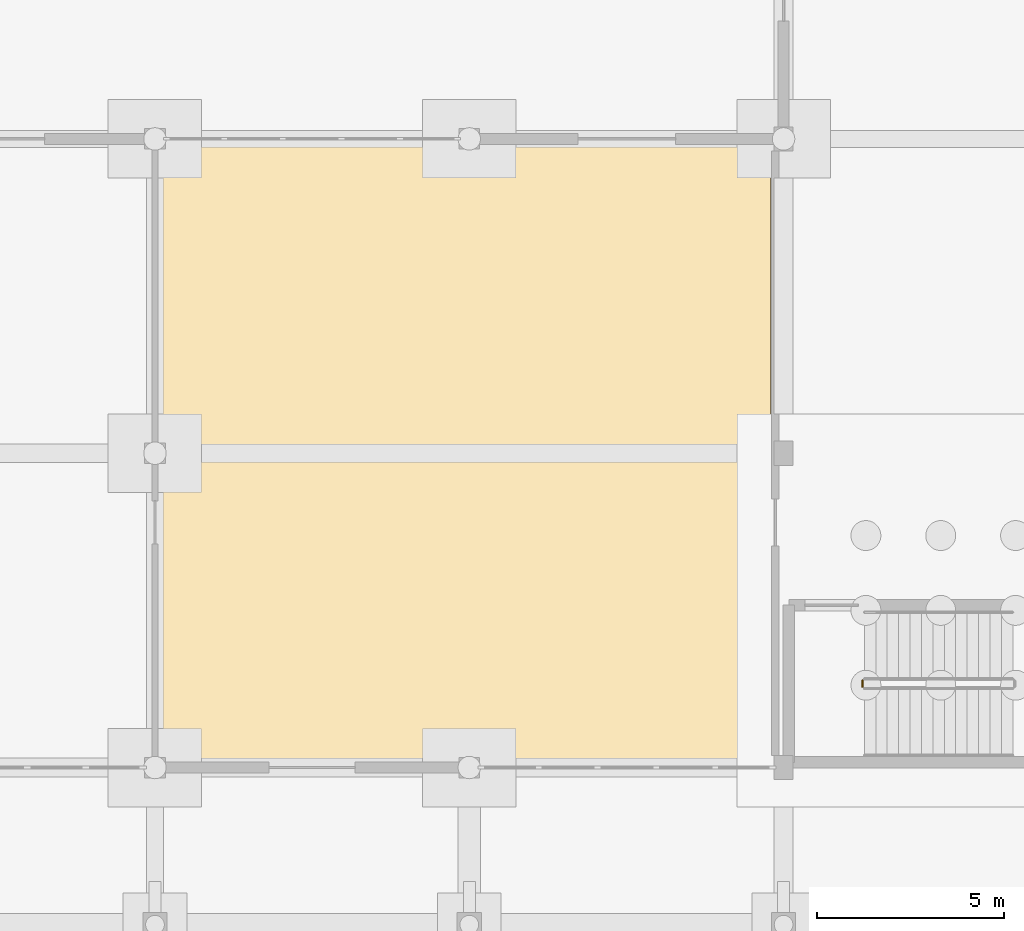
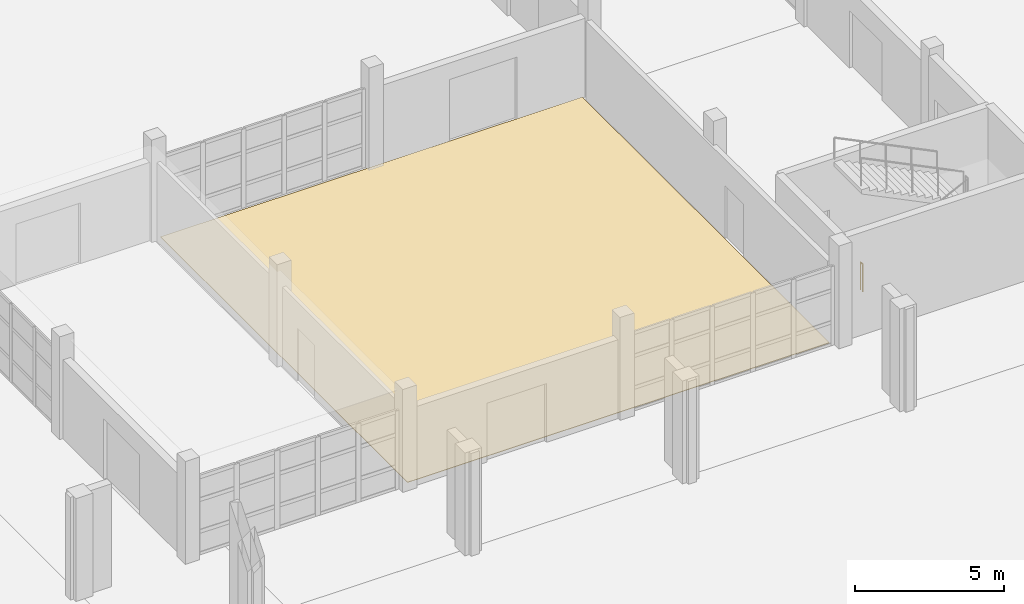
# One storey, part 69 of 88: 1 covering, 1 railing.
"""IFC4 building model written with IfcOpenShell, lengths in metres."""

from ifc_helpers import new_model, si_unit, direction, frame, origin, origin_2d, place, context, subcontext, project, spatial, polyline, circle, outline, extrude, material, layer, layer_set, type_object, element, save


model = new_model("IFC4")

# Units and contexts
model_context = context("Model", 3, precision=1e-05, world=origin(), true_north=direction((0.0, 1.0)))
body_context = subcontext(model_context, "Body", "Model", "MODEL_VIEW")
ifc_project = project(units=[si_unit("LENGTHUNIT", "METRE"), si_unit("AREAUNIT", "SQUARE_METRE"), si_unit("VOLUMEUNIT", "CUBIC_METRE"), si_unit("PLANEANGLEUNIT", "RADIAN"), si_unit("MASSUNIT", "GRAM", prefix="KILO")], contexts=[model_context])

# Site, building, storey
site_placement = place(None, origin())
site = spatial("IfcSite", under=ifc_project, at=site_placement, CompositionType="ELEMENT")
building_placement = place(site_placement, origin())
building = spatial("IfcBuilding", under=site, at=building_placement, Name="Vanh Quang Courtyard School", CompositionType="ELEMENT")
storey_placement = place(building_placement, origin())
storey = spatial("IfcBuildingStorey", under=building, at=storey_placement, Name="L00", CompositionType="ELEMENT", Elevation=0.0)

# Covering
ifc_material_1 = material(Name="Polished cementitious terrazzo tile", Category="concrete")
ifc_layer = layer(ifc_material_1, 0.02001953125)
ifc_layer_set = layer_set([ifc_layer], Name="Polished cementitious terrazzo tile")
covering_type = type_object("IfcCoveringType", Name="COV-FLR-TERRAZZO", PredefinedType="FLOORING", material=ifc_layer_set)
covering_placement = place(storey_placement, origin())
element("IfcCovering", 1, at=covering_placement, inside=storey, type_object=covering_type, Name="Covering CV-FL1 (L00)", PredefinedType="FLOORING", context=body_context, shape_type="SweptSolid", body=[
    extrude(outline(polyline([(12.760009765625, 4.330078125), (12.759033203125, 4.330078125), (12.758056640625, 4.330078125), (12.757080078125, 4.330322265625), (12.756103515625, 4.330810546875), (12.75537109375, 4.331298828125), (12.75439453125, 4.331787109375), (12.753662109375, 4.332275390625), (12.7529296875, 4.3330078125), (12.752197265625, 4.333740234375), (12.751708984375, 4.33447265625), (12.751220703125, 4.335205078125), (12.750732421875, 4.336181640625), (12.75048828125, 4.337158203125), (12.750244140625, 4.337890625), (12.75, 4.339111328125), (12.75, 4.340087890625), (12.75, 20.860107421875), (12.75, 20.861083984375), (12.750244140625, 20.862060546875), (12.75048828125, 20.86279296875), (12.750732421875, 20.86376953125), (12.751220703125, 20.86474609375), (12.751708984375, 20.865478515625), (12.752197265625, 20.8662109375), (12.7529296875, 20.8671875), (12.753662109375, 20.86767578125), (12.75439453125, 20.868408203125), (12.75537109375, 20.868896484375), (12.756103515625, 20.869140625), (12.757080078125, 20.86962890625), (12.758056640625, 20.869873046875), (12.759033203125, 20.8701171875), (12.760009765625, 20.8701171875), (29.0400390625, 20.8701171875), (29.041015625, 20.8701171875), (29.0419921875, 20.869873046875), (29.04296875, 20.86962890625), (29.043701171875, 20.869140625), (29.044677734375, 20.868896484375), (29.045654296875, 20.868408203125), (29.04638671875, 20.86767578125), (29.047119140625, 20.8671875), (29.047607421875, 20.8662109375), (29.04833984375, 20.865478515625), (29.048828125, 20.86474609375), (29.04931640625, 20.86376953125), (29.049560546875, 20.86279296875), (29.0498046875, 20.862060546875), (29.050048828125, 20.861083984375), (29.050048828125, 20.860107421875), (29.050048828125, 12.949951171875), (29.050048828125, 12.949951171875), (29.050048828125, 4.340087890625), (29.050048828125, 4.339111328125), (29.0498046875, 4.337890625), (29.049560546875, 4.337158203125), (29.04931640625, 4.336181640625), (29.048828125, 4.335205078125), (29.04833984375, 4.33447265625), (29.047607421875, 4.333740234375), (29.047119140625, 4.3330078125), (29.04638671875, 4.332275390625), (29.045654296875, 4.331787109375), (29.044677734375, 4.331298828125), (29.043701171875, 4.330810546875), (29.04296875, 4.330322265625), (29.0419921875, 4.330078125), (29.041015625, 4.330078125), (29.0400390625, 4.330078125), (12.760009765625, 4.330078125)])), origin(), (0.0, 0.0, 1.0), 0.02001953125),
])

# Railing
ifc_material_2 = material(Name="Galvanised painted steel EN 10025-2 S355J2", Category="steel")
railing_type = type_object("IfcRailingType", Name="RAIL-GUARD-1150", PredefinedType="BALUSTRADE", material=ifc_material_2)
railing_placement = place(storey_placement, frame((31.510009765625, 6.360107421875, 0.0)))
element("IfcRailing", 2, at=railing_placement, inside=storey, type_object=railing_type, Name="L00 ST-06 stair guard 4", PredefinedType="BALUSTRADE", context=body_context, shape_type="SweptSolid", body=[
    extrude(circle(Radius=0.02392578125, at=origin_2d()), frame((0.0, 0.0, 1.1259765625), z_axis=(0.0, 1.0, 0.0), x_axis=(-1.0, 0.0, 0.0)), (0.0, 0.0, 1.0), 0.159912109375),
    extrude(circle(Radius=0.02099609375, at=origin_2d()), origin(), (0.0, 0.0, 1.0), 1.101806640625),
    extrude(circle(Radius=0.02099609375, at=origin_2d()), frame((0.0, 0.159912109375, 0.0)), (0.0, 0.0, 1.0), 1.101806640625),
])

save(model, "model.ifc")
